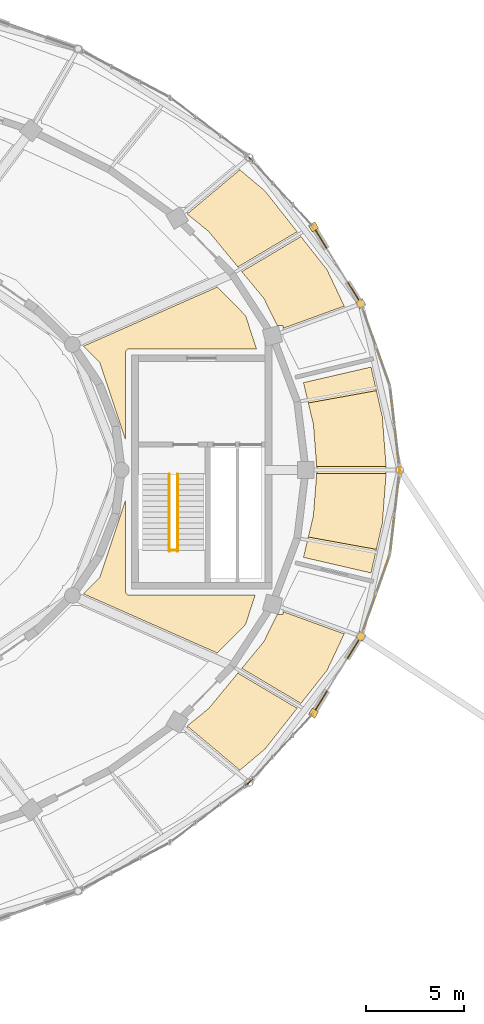
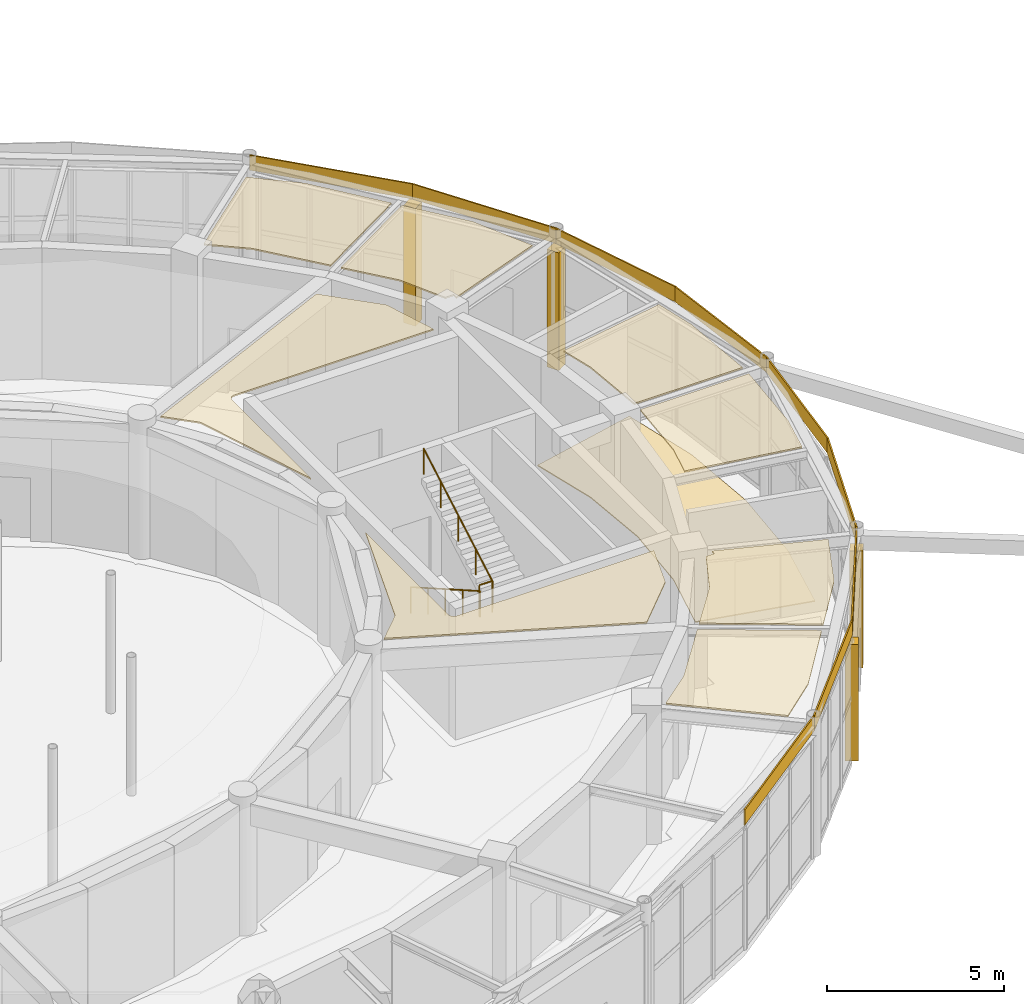
# One storey, part 103 of 108: 22 coverings, 3 railings.
"""IFC4 building model written with IfcOpenShell, lengths in metres."""

from ifc_helpers import new_model, si_unit, direction, frame, frame_2d, origin, origin_2d, place, context, subcontext, project, spatial, polyline, rectangle, circle, outline, extrude, material, layer, layer_set, type_object, element, save


model = new_model("IFC4")

# Units and contexts
model_context = context("Model", 3, precision=1e-05, world=origin(), true_north=direction((0.0, 1.0)))
body_context = subcontext(model_context, "Body", "Model", "MODEL_VIEW")
ifc_project = project(units=[si_unit("LENGTHUNIT", "METRE"), si_unit("AREAUNIT", "SQUARE_METRE"), si_unit("VOLUMEUNIT", "CUBIC_METRE"), si_unit("PLANEANGLEUNIT", "RADIAN"), si_unit("MASSUNIT", "GRAM", prefix="KILO")], contexts=[model_context])

# Site, building, storey
site_placement = place(None, origin())
site = spatial("IfcSite", under=ifc_project, at=site_placement, CompositionType="ELEMENT")
building_placement = place(site_placement, origin())
building = spatial("IfcBuilding", under=site, at=building_placement, Name="Tarnveldt Headland Concert Hall", CompositionType="ELEMENT")
storey_placement = place(building_placement, origin())
storey = spatial("IfcBuildingStorey", under=building, at=storey_placement, Name="L00", CompositionType="ELEMENT", Elevation=0.0)

# Coverings
ifc_material_1 = material(Name="Micro-perforated mvule acoustic ceiling panel", Category="timber")
ifc_layer_1 = layer(ifc_material_1, 0.050048828125, Name="Micro-perforated mvule acoustic ceiling panel", Category="timber")
ifc_layer_set_1 = layer_set([ifc_layer_1], Name="Micro-perforated mvule acoustic ceiling panel")
covering_type_1 = type_object("IfcCoveringType", Name="CV-CEIL50", PredefinedType="CEILING", material=ifc_layer_set_1)
covering_1_placement = place(storey_placement, frame((0.0, 0.0, 4.469970703125)))
element("IfcCovering", 1, at=covering_1_placement, inside=storey, type_object=covering_type_1, Name="Acoustic mvule ceiling L00-10-8", PredefinedType="CEILING", context=body_context, shape_type="SweptSolid", body=[
    extrude(outline(polyline([(100.978271484375, 48.989013671875), (100.988525390625, 49.00244140625), (100.99755859375, 49.016845703125), (101.005126953125, 49.031982421875), (101.01123046875, 49.0478515625), (102.320068359375, 52.966796875), (102.320068359375, 48.300048828125), (102.32080078125, 48.282470703125), (102.323486328125, 48.264892578125), (102.327880859375, 48.247802734375), (102.333740234375, 48.231201171875), (102.34130859375, 48.215087890625), (102.350341796875, 48.199951171875), (102.36083984375, 48.185791015625), (102.372802734375, 48.172607421875), (102.3857421875, 48.160888671875), (102.39990234375, 48.150390625), (102.4150390625, 48.141357421875), (102.43115234375, 48.1337890625), (102.44775390625, 48.127685546875), (102.46484375, 48.12353515625), (102.482421875, 48.120849609375), (102.5, 48.1201171875), (108.928955078125, 48.1201171875), (108.440185546875, 46.62646484375), (106.99072265625, 45.168701171875), (100.16552734375, 48.18701171875), (100.966796875, 48.9765625), (100.978271484375, 48.989013671875)])), origin(), (0.0, 0.0, 1.0), 0.050048828125),
])
covering_2_placement = place(storey_placement, frame((0.0, 0.0, 4.469970703125)))
element("IfcCovering", 2, at=covering_2_placement, inside=storey, type_object=covering_type_1, Name="Acoustic mvule ceiling L00-11-9", PredefinedType="CEILING", context=body_context, shape_type="SweptSolid", body=[
    extrude(outline(polyline([(102.43115234375, 60.666259765625), (102.4150390625, 60.65869140625), (102.39990234375, 60.649658203125), (102.3857421875, 60.63916015625), (102.372802734375, 60.627197265625), (102.36083984375, 60.6142578125), (102.350341796875, 60.60009765625), (102.34130859375, 60.5849609375), (102.333740234375, 60.56884765625), (102.327880859375, 60.55224609375), (102.323486328125, 60.53515625), (102.32080078125, 60.517578125), (102.320068359375, 60.5), (102.320068359375, 56.033203125), (101.01123046875, 59.9521484375), (101.005126953125, 59.968017578125), (100.99755859375, 59.983154296875), (100.988525390625, 59.99755859375), (100.978271484375, 60.010986328125), (100.966796875, 60.0234375), (100.16552734375, 60.81298828125), (106.99072265625, 63.831298828125), (108.440185546875, 62.37353515625), (108.994384765625, 60.679931640625), (102.5, 60.679931640625), (102.482421875, 60.67919921875), (102.46484375, 60.676513671875), (102.44775390625, 60.672119140625), (102.43115234375, 60.666259765625)])), origin(), (0.0, 0.0, 1.0), 0.050048828125),
])
covering_3_placement = place(storey_placement, frame((0.0, 0.0, 4.469970703125)))
element("IfcCovering", 3, at=covering_3_placement, inside=storey, type_object=covering_type_1, Name="Acoustic mvule ceiling L00-12-21", PredefinedType="CEILING", context=body_context, shape_type="SweptSolid", body=[
    extrude(outline(polyline([(109.434814453125, 40.274169921875), (108.1474609375, 39.189208984375), (105.47412109375, 41.43212890625), (105.47412109375, 41.461181640625), (106.530517578125, 42.311279296875), (106.544189453125, 42.323486328125), (106.556396484375, 42.337158203125), (108.04638671875, 44.14306640625), (111.06884765625, 42.3486328125), (109.434814453125, 40.274169921875)])), origin(), (0.0, 0.0, 1.0), 0.050048828125),
])
covering_4_placement = place(storey_placement, frame((0.0, 0.0, 4.469970703125)))
element("IfcCovering", 4, at=covering_4_placement, inside=storey, type_object=covering_type_1, Name="Acoustic mvule ceiling L00-12-22", PredefinedType="CEILING", context=body_context, shape_type="SweptSolid", body=[
    extrude(outline(polyline([(110.33642578125, 47.2822265625), (113.470947265625, 46.141357421875), (112.595703125, 44.287353515625), (111.262451171875, 42.594482421875), (108.24609375, 44.385009765625), (109.35693359375, 45.731689453125), (109.369384765625, 45.74853515625), (109.379638671875, 45.7666015625), (110.055908203125, 47.134521484375), (110.33642578125, 47.134521484375), (110.33642578125, 47.2822265625)])), origin(), (0.0, 0.0, 1.0), 0.050048828125),
])
covering_5_placement = place(storey_placement, frame((0.0, 0.0, 4.469970703125)))
element("IfcCovering", 5, at=covering_5_placement, inside=storey, type_object=covering_type_1, Name="Acoustic mvule ceiling L00-15-29", PredefinedType="CEILING", context=body_context, shape_type="SweptSolid", body=[
    extrude(outline(polyline([(108.24609375, 64.614990234375), (111.262451171875, 66.405517578125), (112.595703125, 64.712646484375), (113.470947265625, 62.858642578125), (110.33642578125, 61.7177734375), (110.33642578125, 61.865478515625), (110.055908203125, 61.865478515625), (109.379638671875, 63.2333984375), (109.369384765625, 63.25146484375), (109.35693359375, 63.268310546875), (108.24609375, 64.614990234375)])), origin(), (0.0, 0.0, 1.0), 0.050048828125),
])
covering_6_placement = place(storey_placement, frame((0.0, 0.0, 4.469970703125)))
element("IfcCovering", 6, at=covering_6_placement, inside=storey, type_object=covering_type_1, Name="Acoustic mvule ceiling L00-15-30", PredefinedType="CEILING", context=body_context, shape_type="SweptSolid", body=[
    extrude(outline(polyline([(106.544189453125, 66.676513671875), (106.530517578125, 66.688720703125), (105.47412109375, 67.538818359375), (105.47412109375, 67.56787109375), (108.1474609375, 69.810791015625), (109.434814453125, 68.725830078125), (111.06884765625, 66.6513671875), (108.04638671875, 64.85693359375), (106.556396484375, 66.662841796875), (106.544189453125, 66.676513671875)])), origin(), (0.0, 0.0, 1.0), 0.050048828125),
])
covering_7_placement = place(storey_placement, frame((0.0, 0.0, 4.469970703125)))
element("IfcCovering", 7, at=covering_7_placement, inside=storey, type_object=covering_type_1, Name="Acoustic mvule ceiling L00-16-39", PredefinedType="CEILING", context=body_context, shape_type="SweptSolid", body=[
    extrude(outline(polyline([(111.896728515625, 52.176513671875), (112.066650390625, 54.324951171875), (115.606201171875, 54.324951171875), (115.413818359375, 51.776123046875), (115.111572265625, 50.45263671875), (111.637451171875, 51.08251953125), (111.892578125, 52.148681640625), (111.895263671875, 52.16259765625), (111.896728515625, 52.176513671875)])), origin(), (0.0, 0.0, 1.0), 0.050048828125),
])
covering_8_placement = place(storey_placement, frame((0.0, 0.0, 4.469970703125)))
element("IfcCovering", 8, at=covering_8_placement, inside=storey, type_object=covering_type_1, Name="Acoustic mvule ceiling L00-16-40", PredefinedType="CEILING", context=body_context, shape_type="SweptSolid", body=[
    extrude(outline(polyline([(111.637451171875, 57.91748046875), (115.111572265625, 58.54736328125), (115.413818359375, 57.223876953125), (115.606201171875, 54.675048828125), (112.066650390625, 54.675048828125), (111.896728515625, 56.823486328125), (111.895263671875, 56.83740234375), (111.892578125, 56.851318359375), (111.637451171875, 57.91748046875)])), origin(), (0.0, 0.0, 1.0), 0.050048828125),
])
ifc_material_2 = material(Name="Treated East African mvule hardwood", Category="wood")
ifc_layer_2 = layer(ifc_material_2, 0.044921875, Name="Treated East African mvule hardwood", Category="wood")
ifc_layer_set_2 = layer_set([ifc_layer_2], Name="Treated East African mvule hardwood")
covering_type_2 = type_object("IfcCoveringType", Name="CV-CLAD45", PredefinedType="CLADDING", material=ifc_layer_set_2)
covering_9_placement = place(storey_placement, frame((116.300048828125, 54.5, 4.219970703125), z_axis=(0.0, 0.0, 1.0), x_axis=(-0.11494260035, 0.993372135015, 0.0)))
element("IfcCovering", 9, at=covering_9_placement, inside=storey, type_object=covering_type_2, Name="Mvule hardwood fascia band L00-1", PredefinedType="CLADDING", context=body_context, shape_type="SweptSolid", body=[
    extrude(rectangle(XDim=4.335205078125, YDim=0.044921875, at=frame_2d((2.16748046875, 0.0))), origin(), (0.0, 0.0, 1.0), 0.52001953125),
])
covering_10_placement = place(storey_placement, frame((115.8017578125, 58.806396484375, 4.219970703125), z_axis=(0.0, 0.0, 1.0), x_axis=(-0.334010357608, 0.942569403816, 0.0)))
element("IfcCovering", 10, at=covering_10_placement, inside=storey, type_object=covering_type_2, Name="Mvule hardwood fascia band L00-2", PredefinedType="CLADDING", context=body_context, shape_type="SweptSolid", body=[
    extrude(rectangle(XDim=4.43017578125, YDim=0.044921875, at=frame_2d((2.215087890625, 0.0))), origin(), (0.0, 0.0, 1.0), 0.52001953125),
])
covering_11_placement = place(storey_placement, frame((114.322021484375, 62.982177734375, 4.219970703125), z_axis=(0.0, 0.0, 1.0), x_axis=(-0.524979001727, 0.851115178895, 0.0)))
element("IfcCovering", 11, at=covering_11_placement, inside=storey, type_object=covering_type_2, Name="Mvule hardwood fascia band L00-3", PredefinedType="CLADDING", context=body_context, shape_type="SweptSolid", body=[
    extrude(rectangle(XDim=4.60302734375, YDim=0.044921875, at=frame_2d((2.301513671875, 0.0))), origin(), (0.0, 0.0, 1.0), 0.52001953125),
])
covering_12_placement = place(storey_placement, frame((111.905517578125, 66.89990234375, 4.219970703125), z_axis=(0.0, 0.0, 1.0), x_axis=(-0.67944736966, 0.733724247835, 0.0)))
element("IfcCovering", 12, at=covering_12_placement, inside=storey, type_object=covering_type_2, Name="Mvule hardwood fascia band L00-4", PredefinedType="CLADDING", context=body_context, shape_type="SweptSolid", body=[
    extrude(rectangle(XDim=4.826416015625, YDim=0.044921875, at=frame_2d((2.4130859375, 0.0))), origin(), (0.0, 0.0, 1.0), 0.52001953125),
])
covering_13_placement = place(storey_placement, frame((104.58349609375, 35.502197265625, 4.219970703125), z_axis=(0.0, 0.0, 1.0), x_axis=(0.797664418204, 0.603101546948, 0.0)))
element("IfcCovering", 13, at=covering_13_placement, inside=storey, type_object=covering_type_2, Name="Mvule hardwood fascia band L00-32", PredefinedType="CLADDING", context=body_context, shape_type="SweptSolid", body=[
    extrude(rectangle(XDim=5.068115234375, YDim=0.044921875, at=frame_2d((2.5341796875, 0.0))), origin(), (0.0, 0.0, 1.0), 0.52001953125),
])
covering_14_placement = place(storey_placement, frame((108.626220703125, 38.558837890625, 4.219970703125), z_axis=(0.0, 0.0, 1.0), x_axis=(0.67944736966, 0.733724247835, 0.0)))
element("IfcCovering", 14, at=covering_14_placement, inside=storey, type_object=covering_type_2, Name="Mvule hardwood fascia band L00-33", PredefinedType="CLADDING", context=body_context, shape_type="SweptSolid", body=[
    extrude(rectangle(XDim=4.826416015625, YDim=0.044921875, at=frame_2d((2.4130859375, 0.0))), origin(), (0.0, 0.0, 1.0), 0.52001953125),
])
covering_15_placement = place(storey_placement, frame((111.905517578125, 42.10009765625, 4.219970703125), z_axis=(0.0, 0.0, 1.0), x_axis=(0.524979001727, 0.851115178895, 0.0)))
element("IfcCovering", 15, at=covering_15_placement, inside=storey, type_object=covering_type_2, Name="Mvule hardwood fascia band L00-34", PredefinedType="CLADDING", context=body_context, shape_type="SweptSolid", body=[
    extrude(rectangle(XDim=4.60302734375, YDim=0.044921875, at=frame_2d((2.301513671875, 0.0))), origin(), (0.0, 0.0, 1.0), 0.52001953125),
])
covering_16_placement = place(storey_placement, frame((114.322021484375, 46.017822265625, 4.219970703125), z_axis=(0.0, 0.0, 1.0), x_axis=(0.334010357608, 0.942569403816, 0.0)))
element("IfcCovering", 16, at=covering_16_placement, inside=storey, type_object=covering_type_2, Name="Mvule hardwood fascia band L00-35", PredefinedType="CLADDING", context=body_context, shape_type="SweptSolid", body=[
    extrude(rectangle(XDim=4.43017578125, YDim=0.044921875, at=frame_2d((2.215087890625, 0.0))), origin(), (0.0, 0.0, 1.0), 0.52001953125),
])
covering_17_placement = place(storey_placement, frame((115.8017578125, 50.193603515625, 4.219970703125), z_axis=(0.0, 0.0, 1.0), x_axis=(0.11494260035, 0.993372135015, 0.0)))
element("IfcCovering", 17, at=covering_17_placement, inside=storey, type_object=covering_type_2, Name="Mvule hardwood fascia band L00-36", PredefinedType="CLADDING", context=body_context, shape_type="SweptSolid", body=[
    extrude(rectangle(XDim=4.335205078125, YDim=0.044921875, at=frame_2d((2.16748046875, 0.0))), origin(), (0.0, 0.0, 1.0), 0.52001953125),
])
ifc_material_3 = material(Name="Polished coral-aggregate cementitious terrazzo flooring", Category="concrete")
ifc_layer_3 = layer(ifc_material_3, 0.034912109375, Name="Polished coral-aggregate cementitious terrazzo flooring", Category="concrete")
ifc_layer_set_3 = layer_set([ifc_layer_3], Name="Polished coral-aggregate cementitious terrazzo flooring")
covering_type_3 = type_object("IfcCoveringType", Name="CV-FLOR35", PredefinedType="FLOORING", material=ifc_layer_set_3)
covering_18_placement = place(storey_placement, origin())
element("IfcCovering", 18, at=covering_18_placement, inside=storey, type_object=covering_type_3, Name="Architectural flooring L00-16-9", PredefinedType="FLOORING", context=body_context, shape_type="SweptSolid", body=[
    extrude(outline(polyline([(111.389404296875, 50.045654296875), (111.892578125, 52.148681640625), (111.895263671875, 52.16259765625), (111.896728515625, 52.176513671875), (112.079345703125, 54.48583984375), (112.080078125, 54.5), (112.079345703125, 54.51416015625), (111.896728515625, 56.823486328125), (111.895263671875, 56.83740234375), (111.892578125, 56.851318359375), (111.389404296875, 58.954345703125), (114.8369140625, 59.750244140625), (115.413818359375, 57.223876953125), (115.619384765625, 54.5), (115.413818359375, 51.776123046875), (114.8369140625, 49.249755859375), (111.389404296875, 50.045654296875)])), origin(), (0.0, 0.0, 1.0), 0.034912109375),
])
ifc_material_4 = material(Name="Coral-toned precast concrete C40/50", Category="concrete")
ifc_layer_4 = layer(ifc_material_4, 0.360107421875, Name="Coral-toned precast concrete C40/50", Category="concrete")
ifc_layer_set_4 = layer_set([ifc_layer_4], Name="Coral-toned precast concrete C40/50")
covering_type_4 = type_object("IfcCoveringType", Name="CV-JNT360", PredefinedType="CLADDING", material=ifc_layer_set_4)
covering_19_placement = place(storey_placement, frame((111.905517578125, 42.10009765625, 0.0), z_axis=(0.0, 0.0, 1.0), x_axis=(-0.524877544859, -0.851177750474, 0.0)))
element("IfcCovering", 19, at=covering_19_placement, inside=storey, type_object=covering_type_4, Name="Precast facade joint closure pilaster L00-157", PredefinedType="CLADDING", context=body_context, shape_type="SweptSolid", body=[
    extrude(rectangle(XDim=0.3798828125, YDim=0.3798828125, at=origin_2d()), origin(), (0.0, 0.0, 1.0), 4.01806640625),
])
covering_20_placement = place(storey_placement, frame((111.905517578125, 66.89990234375, 0.0), z_axis=(0.0, 0.0, 1.0), x_axis=(0.524877544859, -0.851177750474, 0.0)))
element("IfcCovering", 20, at=covering_20_placement, inside=storey, type_object=covering_type_4, Name="Precast facade joint closure pilaster L00-158", PredefinedType="CLADDING", context=body_context, shape_type="SweptSolid", body=[
    extrude(rectangle(XDim=0.3798828125, YDim=0.3798828125, at=origin_2d()), origin(), (0.0, 0.0, 1.0), 4.05810546875),
])
covering_21_placement = place(storey_placement, frame((114.322021484375, 46.017822265625, 0.0), z_axis=(0.0, 0.0, 1.0), x_axis=(-0.524877544859, -0.851177750474, 0.0)))
element("IfcCovering", 21, at=covering_21_placement, inside=storey, type_object=covering_type_4, Name="Precast facade joint closure pilaster L00-159", PredefinedType="CLADDING", context=body_context, shape_type="SweptSolid", body=[
    extrude(rectangle(XDim=0.3798828125, YDim=0.3798828125, at=origin_2d()), origin(), (0.0, 0.0, 1.0), 4.01806640625),
])
covering_22_placement = place(storey_placement, frame((114.322021484375, 62.982177734375, 0.0), z_axis=(0.0, 0.0, 1.0), x_axis=(0.524877544859, -0.851177750474, 0.0)))
element("IfcCovering", 22, at=covering_22_placement, inside=storey, type_object=covering_type_4, Name="Precast facade joint closure pilaster L00-160", PredefinedType="CLADDING", context=body_context, shape_type="SweptSolid", body=[
    extrude(rectangle(XDim=0.3798828125, YDim=0.3798828125, at=origin_2d()), origin(), (0.0, 0.0, 1.0), 4.05810546875),
])

# Railings
ifc_material_5 = material(Name="Marine stainless steel", Category="steel")
ifc_layer_5 = layer(ifc_material_5, 0.06005859375, Name="Marine stainless steel", Category="steel")
ifc_layer_set_5 = layer_set([ifc_layer_5], Name="Marine stainless steel")
railing_type_1 = type_object("IfcRailingType", Name="RL-GRD110", PredefinedType="GUARDRAIL", material=ifc_layer_set_5)
railing_1_placement = place(storey_placement, frame((104.550048828125, 50.39990234375, 2.39990234375)))
element("IfcRailing", 23, at=railing_1_placement, inside=storey, type_object=railing_type_1, Name="GUARD STR-C2-L00 half-landing well", PredefinedType="GUARDRAIL", context=body_context, shape_type="SweptSolid", body=[
    extrude(circle(Radius=0.02392578125, at=origin_2d()), frame((0.0, 0.0, 1.076171875), z_axis=(1.0, 0.0, 0.0), x_axis=(0.0, 1.0, 0.0)), (0.0, 0.0, 1.0), 0.419921875),
    extrude(circle(Radius=0.02099609375, at=origin_2d()), origin(), (0.0, 0.0, 1.0), 1.052001953125),
    extrude(circle(Radius=0.02099609375, at=origin_2d()), frame((0.419921875, 0.0, 0.0)), (0.0, 0.0, 1.0), 1.052001953125),
])
ifc_layer_6 = layer(ifc_material_5, 0.048095703125, Name="Marine stainless steel", Category="steel")
ifc_layer_set_6 = layer_set([ifc_layer_6], Name="Marine stainless steel")
railing_type_2 = type_object("IfcRailingType", Name="RL-HND092", PredefinedType="HANDRAIL", material=ifc_layer_set_6)
railing_2_placement = place(storey_placement, frame((104.550048828125, 54.280029296875, 0.159912109375)))
element("IfcRailing", 24, at=railing_2_placement, inside=storey, type_object=railing_type_2, Name="HANDRAIL STR-C2-L00 flight 1", PredefinedType="HANDRAIL", context=body_context, shape_type="SweptSolid", body=[
    extrude(circle(Radius=0.02392578125, at=origin_2d()), frame((0.0, 0.0, 0.89599609375), z_axis=(0.0, -0.868239814368, 0.496144761885), x_axis=(1.0, 0.0, 0.0)), (0.0, 0.0, 1.0), 4.514892578125),
    extrude(circle(Radius=0.02099609375, at=origin_2d()), origin(), (0.0, 0.0, 1.0), 0.871826171875),
    extrude(circle(Radius=0.02099609375, at=origin_2d()), frame((0.0, -0.97998046875, 0.56005859375)), (0.0, 0.0, 1.0), 0.871826171875),
    extrude(circle(Radius=0.02099609375, at=origin_2d()), frame((0.0, -1.9599609375, 1.1201171875)), (0.0, 0.0, 1.0), 0.871826171875),
    extrude(circle(Radius=0.02099609375, at=origin_2d()), frame((0.0, -2.93994140625, 1.679931640625)), (0.0, 0.0, 1.0), 0.871826171875),
    extrude(circle(Radius=0.02099609375, at=origin_2d()), frame((0.0, -3.919921875, 2.239990234375)), (0.0, 0.0, 1.0), 0.871826171875),
])
railing_3_placement = place(storey_placement, frame((104.969970703125, 50.360107421875, 2.56005859375)))
element("IfcRailing", 25, at=railing_3_placement, inside=storey, type_object=railing_type_2, Name="HANDRAIL STR-C2-L00 flight 2", PredefinedType="HANDRAIL", context=body_context, shape_type="SweptSolid", body=[
    extrude(circle(Radius=0.02392578125, at=origin_2d()), frame((0.0, 0.0, 0.89599609375), z_axis=(0.0, 0.868239814368, 0.496144761885), x_axis=(-1.0, 0.0, 0.0)), (0.0, 0.0, 1.0), 4.514892578125),
    extrude(circle(Radius=0.02099609375, at=origin_2d()), origin(), (0.0, 0.0, 1.0), 0.871826171875),
    extrude(circle(Radius=0.02099609375, at=origin_2d()), frame((0.0, 0.97998046875, 0.56005859375)), (0.0, 0.0, 1.0), 0.871826171875),
    extrude(circle(Radius=0.02099609375, at=origin_2d()), frame((0.0, 1.9599609375, 1.1201171875)), (0.0, 0.0, 1.0), 0.871826171875),
    extrude(circle(Radius=0.02099609375, at=origin_2d()), frame((0.0, 2.93994140625, 1.679931640625)), (0.0, 0.0, 1.0), 0.871826171875),
    extrude(circle(Radius=0.02099609375, at=origin_2d()), frame((0.0, 3.919921875, 2.239990234375)), (0.0, 0.0, 1.0), 0.871826171875),
])

save(model, "model.ifc")
